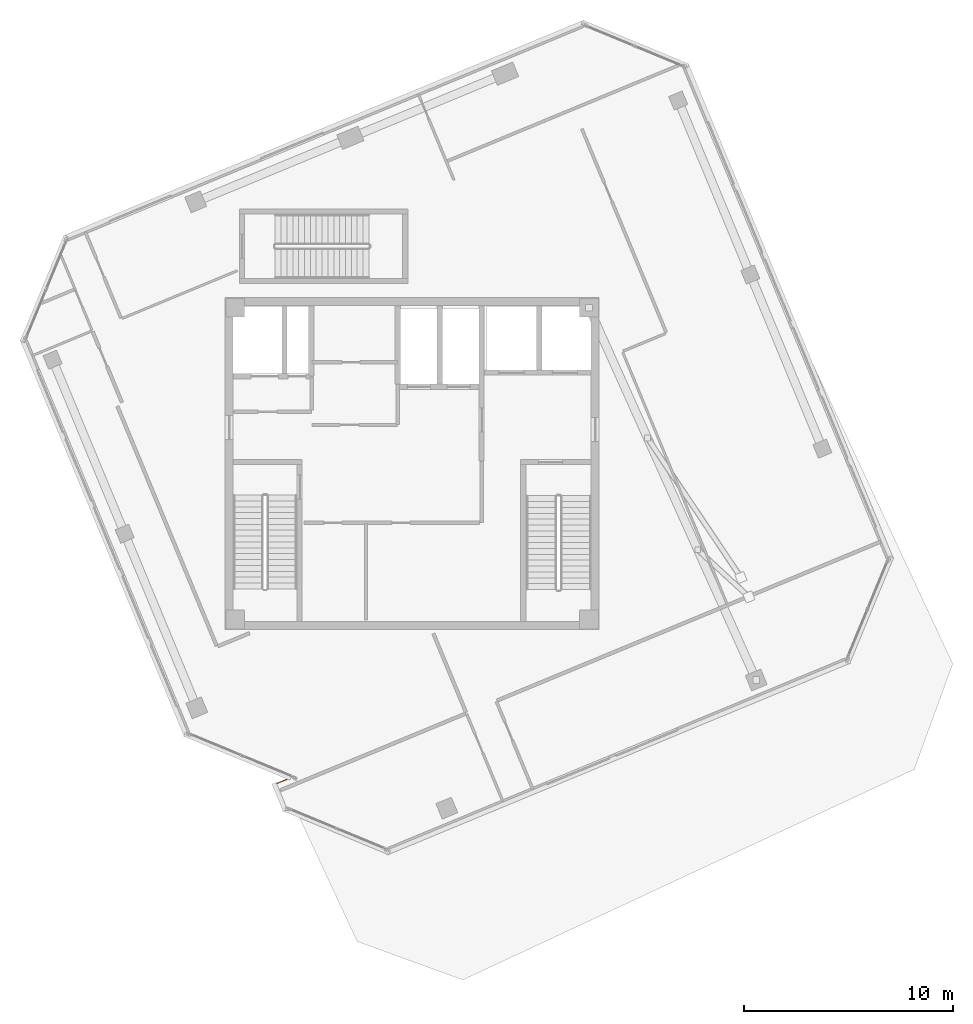
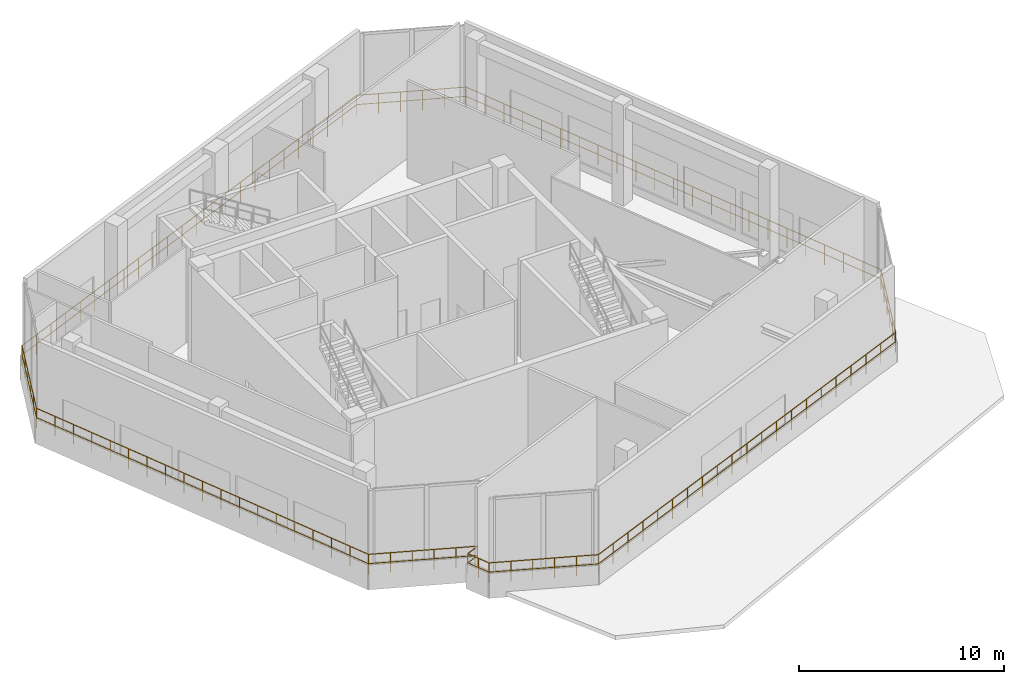
# One storey, part 14 of 16: 1 railing.
"""IFC4 building model written with IfcOpenShell, lengths in metres."""

from ifc_helpers import new_model, si_unit, direction, frame, origin, origin_2d, place, context, subcontext, project, spatial, circle, extrude, material, type_object, element, save


model = new_model("IFC4")

# Units and contexts
model_context = context("Model", 3, precision=1e-05, world=origin(), true_north=direction((0.0, 1.0)))
body_context = subcontext(model_context, "Body", "Model", "MODEL_VIEW")
ifc_project = project(units=[si_unit("LENGTHUNIT", "METRE"), si_unit("AREAUNIT", "SQUARE_METRE"), si_unit("VOLUMEUNIT", "CUBIC_METRE"), si_unit("PLANEANGLEUNIT", "RADIAN"), si_unit("MASSUNIT", "GRAM", prefix="KILO")], contexts=[model_context])

# Site, building, storey
site_placement = place(None, origin())
site = spatial("IfcSite", under=ifc_project, at=site_placement, CompositionType="ELEMENT")
building_placement = place(site_placement, origin())
building = spatial("IfcBuilding", under=site, at=building_placement, Name="Torre Montelarca", CompositionType="ELEMENT")
storey_placement = place(building_placement, frame((0.0, 0.0, 349.199951171875)))
storey = spatial("IfcBuildingStorey", under=building, at=storey_placement, Name="L79", CompositionType="ELEMENT", Elevation=349.199951171875)

# Railing
ifc_material = material(Name="Stainless steel AISI 316 and laminated glass", Category="steel")
railing_type = type_object("IfcRailingType", Name="RL-OBS-GUARD-1200", PredefinedType="BALUSTRADE", material=ifc_material)
railing_placement = place(storey_placement, frame((-0.6337890625, 37.877197265625, 0.56005859375)))
element("IfcRailing", 1, at=railing_placement, inside=storey, type_object=railing_type, Name="L79 Illuminated Damper Gallery Perimeter Guard Collar", PredefinedType="BALUSTRADE", context=body_context, shape_type="SweptSolid", body=[
    extrude(circle(Radius=0.02392578125, at=origin_2d()), frame((0.0, 0.0, 1.17578125), z_axis=(0.382674516725, -0.92388322544, 0.0), x_axis=(0.92388322544, 0.382674516725, 0.0)), (0.0, 0.0, 1.0), 20.400146484375),
    extrude(circle(Radius=0.02099609375, at=origin_2d()), frame((0.0, 0.0, 0.6240234375), z_axis=(0.382674516725, -0.92388322544, 0.0), x_axis=(0.92388322544, 0.382674516725, 0.0)), (0.0, 0.0, 1.0), 20.400146484375),
    extrude(circle(Radius=0.02392578125, at=origin_2d()), frame((7.806640625, -18.847412109375, 1.17578125), z_axis=(0.923886712275, -0.382666098421, 0.0), x_axis=(0.382666098421, 0.923886712275, 0.0)), (0.0, 0.0, 1.0), 5.373779296875),
    extrude(circle(Radius=0.02099609375, at=origin_2d()), frame((7.806640625, -18.847412109375, 0.6240234375), z_axis=(0.923886712275, -0.382666098421, 0.0), x_axis=(0.382666098421, 0.923886712275, 0.0)), (0.0, 0.0, 1.0), 5.373779296875),
    extrude(circle(Radius=0.02392578125, at=origin_2d()), frame((12.771484375, -20.90380859375, 1.17578125), z_axis=(-0.923860588688, -0.382729163599, 0.0), x_axis=(0.382729163599, -0.923860588688, 0.0)), (0.0, 0.0, 1.0), 0.7998046875),
    extrude(circle(Radius=0.02099609375, at=origin_2d()), frame((12.771484375, -20.90380859375, 0.6240234375), z_axis=(-0.923860588688, -0.382729163599, 0.0), x_axis=(0.382729163599, -0.923860588688, 0.0)), (0.0, 0.0, 1.0), 0.7998046875),
    extrude(circle(Radius=0.02392578125, at=origin_2d()), frame((12.032470703125, -21.2099609375, 1.17578125), z_axis=(0.382760937611, -0.923847424979, 0.0), x_axis=(0.923847424979, 0.382760937611, 0.0)), (0.0, 0.0, 1.0), 1.2998046875),
    extrude(circle(Radius=0.02099609375, at=origin_2d()), frame((12.032470703125, -21.2099609375, 0.6240234375), z_axis=(0.382760937611, -0.923847424979, 0.0), x_axis=(0.923847424979, 0.382760937611, 0.0)), (0.0, 0.0, 1.0), 1.2998046875),
    extrude(circle(Radius=0.02392578125, at=origin_2d()), frame((12.530029296875, -22.410888671875, 1.17578125), z_axis=(0.923870650027, -0.382704875876, 0.0), x_axis=(0.382704875876, 0.923870650027, 0.0)), (0.0, 0.0, 1.0), 5.3740234375),
    extrude(circle(Radius=0.02099609375, at=origin_2d()), frame((12.530029296875, -22.410888671875, 0.6240234375), z_axis=(0.923870650027, -0.382704875876, 0.0), x_axis=(0.382704875876, 0.923870650027, 0.0)), (0.0, 0.0, 1.0), 5.3740234375),
    extrude(circle(Radius=0.02392578125, at=origin_2d()), frame((17.494873046875, -24.467529296875, 1.17578125), z_axis=(0.923878554305, 0.382685793956, 0.0), x_axis=(-0.382685793956, 0.923878554305, 0.0)), (0.0, 0.0, 1.0), 23.800048828125),
    extrude(circle(Radius=0.02099609375, at=origin_2d()), frame((17.494873046875, -24.467529296875, 0.6240234375), z_axis=(0.923878554305, 0.382685793956, 0.0), x_axis=(-0.382685793956, 0.923878554305, 0.0)), (0.0, 0.0, 1.0), 23.800048828125),
    extrude(circle(Radius=0.02392578125, at=origin_2d()), frame((39.483154296875, -15.359619140625, 1.17578125), z_axis=(0.382704875876, 0.923870650027, 0.0), x_axis=(-0.923870650027, 0.382704875876, 0.0)), (0.0, 0.0, 1.0), 5.3740234375),
    extrude(circle(Radius=0.02099609375, at=origin_2d()), frame((39.483154296875, -15.359619140625, 0.6240234375), z_axis=(0.382704875876, 0.923870650027, 0.0), x_axis=(-0.923870650027, 0.382704875876, 0.0)), (0.0, 0.0, 1.0), 5.3740234375),
    extrude(circle(Radius=0.02392578125, at=origin_2d()), frame((41.539794921875, -10.394775390625, 1.17578125), z_axis=(-0.382685227406, 0.923878788979, 0.0), x_axis=(-0.923878788979, -0.382685227406, 0.0)), (0.0, 0.0, 1.0), 25.500244140625),
    extrude(circle(Radius=0.02099609375, at=origin_2d()), frame((41.539794921875, -10.394775390625, 0.6240234375), z_axis=(-0.382685227406, 0.923878788979, 0.0), x_axis=(-0.923878788979, -0.382685227406, 0.0)), (0.0, 0.0, 1.0), 25.500244140625),
    extrude(circle(Radius=0.02392578125, at=origin_2d()), frame((31.78125, 13.164306640625, 1.17578125), z_axis=(-0.923886712275, 0.382666098421, 0.0), x_axis=(-0.382666098421, -0.923886712275, 0.0)), (0.0, 0.0, 1.0), 5.373779296875),
    extrude(circle(Radius=0.02099609375, at=origin_2d()), frame((31.78125, 13.164306640625, 0.6240234375), z_axis=(-0.923886712275, 0.382666098421, 0.0), x_axis=(-0.382666098421, -0.923886712275, 0.0)), (0.0, 0.0, 1.0), 5.373779296875),
    extrude(circle(Radius=0.02392578125, at=origin_2d()), frame((26.81640625, 15.220703125, 1.17578125), z_axis=(-0.923880488611, -0.382681124127, 0.0), x_axis=(0.382681124127, -0.923880488611, 0.0)), (0.0, 0.0, 1.0), 26.800048828125),
    extrude(circle(Radius=0.02099609375, at=origin_2d()), frame((26.81640625, 15.220703125, 0.6240234375), z_axis=(-0.923880488611, -0.382681124127, 0.0), x_axis=(0.382681124127, -0.923880488611, 0.0)), (0.0, 0.0, 1.0), 26.800048828125),
    extrude(circle(Radius=0.02392578125, at=origin_2d()), frame((2.056396484375, 4.96484375, 1.17578125), z_axis=(-0.382666098421, -0.923886712275, 0.0), x_axis=(0.923886712275, -0.382666098421, 0.0)), (0.0, 0.0, 1.0), 5.373779296875),
    extrude(circle(Radius=0.02099609375, at=origin_2d()), frame((2.056396484375, 4.96484375, 0.6240234375), z_axis=(-0.382666098421, -0.923886712275, 0.0), x_axis=(0.923886712275, -0.382666098421, 0.0)), (0.0, 0.0, 1.0), 5.373779296875),
    extrude(circle(Radius=0.02099609375, at=origin_2d()), origin(), (0.0, 0.0, 1.0), 1.15185546875),
    extrude(circle(Radius=0.02099609375, at=origin_2d()), frame((0.43359375, -1.047119140625, 0.0)), (0.0, 0.0, 1.0), 1.15185546875),
    extrude(circle(Radius=0.02099609375, at=origin_2d()), frame((0.867431640625, -2.09423828125, 0.0)), (0.0, 0.0, 1.0), 1.15185546875),
    extrude(circle(Radius=0.02099609375, at=origin_2d()), frame((1.301025390625, -3.14111328125, 0.0)), (0.0, 0.0, 1.0), 1.15185546875),
    extrude(circle(Radius=0.02099609375, at=origin_2d()), frame((1.73486328125, -4.188232421875, 0.0)), (0.0, 0.0, 1.0), 1.15185546875),
    extrude(circle(Radius=0.02099609375, at=origin_2d()), frame((2.16845703125, -5.2353515625, 0.0)), (0.0, 0.0, 1.0), 1.15185546875),
    extrude(circle(Radius=0.02099609375, at=origin_2d()), frame((2.602294921875, -6.282470703125, 0.0)), (0.0, 0.0, 1.0), 1.15185546875),
    extrude(circle(Radius=0.02099609375, at=origin_2d()), frame((3.035888671875, -7.32958984375, 0.0)), (0.0, 0.0, 1.0), 1.15185546875),
    extrude(circle(Radius=0.02099609375, at=origin_2d()), frame((3.4697265625, -8.376708984375, 0.0)), (0.0, 0.0, 1.0), 1.15185546875),
    extrude(circle(Radius=0.02099609375, at=origin_2d()), frame((3.9033203125, -9.423828125, 0.0)), (0.0, 0.0, 1.0), 1.15185546875),
    extrude(circle(Radius=0.02099609375, at=origin_2d()), frame((4.3369140625, -10.470703125, 0.0)), (0.0, 0.0, 1.0), 1.15185546875),
    extrude(circle(Radius=0.02099609375, at=origin_2d()), frame((4.770751953125, -11.517822265625, 0.0)), (0.0, 0.0, 1.0), 1.15185546875),
    extrude(circle(Radius=0.02099609375, at=origin_2d()), frame((5.204345703125, -12.56494140625, 0.0)), (0.0, 0.0, 1.0), 1.15185546875),
    extrude(circle(Radius=0.02099609375, at=origin_2d()), frame((5.63818359375, -13.612060546875, 0.0)), (0.0, 0.0, 1.0), 1.15185546875),
    extrude(circle(Radius=0.02099609375, at=origin_2d()), frame((6.07177734375, -14.6591796875, 0.0)), (0.0, 0.0, 1.0), 1.15185546875),
    extrude(circle(Radius=0.02099609375, at=origin_2d()), frame((6.505615234375, -15.7060546875, 0.0)), (0.0, 0.0, 1.0), 1.15185546875),
    extrude(circle(Radius=0.02099609375, at=origin_2d()), frame((6.939208984375, -16.753173828125, 0.0)), (0.0, 0.0, 1.0), 1.15185546875),
    extrude(circle(Radius=0.02099609375, at=origin_2d()), frame((7.373046875, -17.80029296875, 0.0)), (0.0, 0.0, 1.0), 1.15185546875),
    extrude(circle(Radius=0.02099609375, at=origin_2d()), frame((7.806640625, -18.847412109375, 0.0)), (0.0, 0.0, 1.0), 1.15185546875),
    extrude(circle(Radius=0.02099609375, at=origin_2d()), frame((8.799560546875, -19.2587890625, 0.0)), (0.0, 0.0, 1.0), 1.15185546875),
    extrude(circle(Radius=0.02099609375, at=origin_2d()), frame((9.79248046875, -19.669921875, 0.0)), (0.0, 0.0, 1.0), 1.15185546875),
    extrude(circle(Radius=0.02099609375, at=origin_2d()), frame((10.78564453125, -20.081298828125, 0.0)), (0.0, 0.0, 1.0), 1.15185546875),
    extrude(circle(Radius=0.02099609375, at=origin_2d()), frame((11.778564453125, -20.492431640625, 0.0)), (0.0, 0.0, 1.0), 1.15185546875),
    extrude(circle(Radius=0.02099609375, at=origin_2d()), frame((12.771484375, -20.90380859375, 0.0)), (0.0, 0.0, 1.0), 1.15185546875),
    extrude(circle(Radius=0.02099609375, at=origin_2d()), frame((12.032470703125, -21.2099609375, 0.0)), (0.0, 0.0, 1.0), 1.15185546875),
    extrude(circle(Radius=0.02099609375, at=origin_2d()), frame((12.28125, -21.810546875, 0.0)), (0.0, 0.0, 1.0), 1.15185546875),
    extrude(circle(Radius=0.02099609375, at=origin_2d()), frame((12.530029296875, -22.410888671875, 0.0)), (0.0, 0.0, 1.0), 1.15185546875),
    extrude(circle(Radius=0.02099609375, at=origin_2d()), frame((13.52294921875, -22.822265625, 0.0)), (0.0, 0.0, 1.0), 1.15185546875),
    extrude(circle(Radius=0.02099609375, at=origin_2d()), frame((14.515869140625, -23.233642578125, 0.0)), (0.0, 0.0, 1.0), 1.15185546875),
    extrude(circle(Radius=0.02099609375, at=origin_2d()), frame((15.509033203125, -23.644775390625, 0.0)), (0.0, 0.0, 1.0), 1.15185546875),
    extrude(circle(Radius=0.02099609375, at=origin_2d()), frame((16.501953125, -24.05615234375, 0.0)), (0.0, 0.0, 1.0), 1.15185546875),
    extrude(circle(Radius=0.02099609375, at=origin_2d()), frame((17.494873046875, -24.467529296875, 0.0)), (0.0, 0.0, 1.0), 1.15185546875),
    extrude(circle(Radius=0.02099609375, at=origin_2d()), frame((18.59423828125, -24.01220703125, 0.0)), (0.0, 0.0, 1.0), 1.15185546875),
    extrude(circle(Radius=0.02099609375, at=origin_2d()), frame((19.693603515625, -23.556640625, 0.0)), (0.0, 0.0, 1.0), 1.15185546875),
    extrude(circle(Radius=0.02099609375, at=origin_2d()), frame((20.793212890625, -23.101318359375, 0.0)), (0.0, 0.0, 1.0), 1.15185546875),
    extrude(circle(Radius=0.02099609375, at=origin_2d()), frame((21.892578125, -22.64599609375, 0.0)), (0.0, 0.0, 1.0), 1.15185546875),
    extrude(circle(Radius=0.02099609375, at=origin_2d()), frame((22.991943359375, -22.1904296875, 0.0)), (0.0, 0.0, 1.0), 1.15185546875),
    extrude(circle(Radius=0.02099609375, at=origin_2d()), frame((24.09130859375, -21.735107421875, 0.0)), (0.0, 0.0, 1.0), 1.15185546875),
    extrude(circle(Radius=0.02099609375, at=origin_2d()), frame((25.190673828125, -21.27978515625, 0.0)), (0.0, 0.0, 1.0), 1.15185546875),
    extrude(circle(Radius=0.02099609375, at=origin_2d()), frame((26.290283203125, -20.824462890625, 0.0)), (0.0, 0.0, 1.0), 1.15185546875),
    extrude(circle(Radius=0.02099609375, at=origin_2d()), frame((27.3896484375, -20.368896484375, 0.0)), (0.0, 0.0, 1.0), 1.15185546875),
    extrude(circle(Radius=0.02099609375, at=origin_2d()), frame((28.489013671875, -19.91357421875, 0.0)), (0.0, 0.0, 1.0), 1.15185546875),
    extrude(circle(Radius=0.02099609375, at=origin_2d()), frame((29.58837890625, -19.458251953125, 0.0)), (0.0, 0.0, 1.0), 1.15185546875),
    extrude(circle(Radius=0.02099609375, at=origin_2d()), frame((30.687744140625, -19.002685546875, 0.0)), (0.0, 0.0, 1.0), 1.15185546875),
    extrude(circle(Radius=0.02099609375, at=origin_2d()), frame((31.787353515625, -18.54736328125, 0.0)), (0.0, 0.0, 1.0), 1.15185546875),
    extrude(circle(Radius=0.02099609375, at=origin_2d()), frame((32.88671875, -18.092041015625, 0.0)), (0.0, 0.0, 1.0), 1.15185546875),
    extrude(circle(Radius=0.02099609375, at=origin_2d()), frame((33.986083984375, -17.63671875, 0.0)), (0.0, 0.0, 1.0), 1.15185546875),
    extrude(circle(Radius=0.02099609375, at=origin_2d()), frame((35.08544921875, -17.18115234375, 0.0)), (0.0, 0.0, 1.0), 1.15185546875),
    extrude(circle(Radius=0.02099609375, at=origin_2d()), frame((36.184814453125, -16.725830078125, 0.0)), (0.0, 0.0, 1.0), 1.15185546875),
    extrude(circle(Radius=0.02099609375, at=origin_2d()), frame((37.284423828125, -16.2705078125, 0.0)), (0.0, 0.0, 1.0), 1.15185546875),
    extrude(circle(Radius=0.02099609375, at=origin_2d()), frame((38.3837890625, -15.81494140625, 0.0)), (0.0, 0.0, 1.0), 1.15185546875),
    extrude(circle(Radius=0.02099609375, at=origin_2d()), frame((39.483154296875, -15.359619140625, 0.0)), (0.0, 0.0, 1.0), 1.15185546875),
    extrude(circle(Radius=0.02099609375, at=origin_2d()), frame((39.89453125, -14.36669921875, 0.0)), (0.0, 0.0, 1.0), 1.15185546875),
    extrude(circle(Radius=0.02099609375, at=origin_2d()), frame((40.305908203125, -13.373779296875, 0.0)), (0.0, 0.0, 1.0), 1.15185546875),
    extrude(circle(Radius=0.02099609375, at=origin_2d()), frame((40.717041015625, -12.380615234375, 0.0)), (0.0, 0.0, 1.0), 1.15185546875),
    extrude(circle(Radius=0.02099609375, at=origin_2d()), frame((41.12841796875, -11.3876953125, 0.0)), (0.0, 0.0, 1.0), 1.15185546875),
    extrude(circle(Radius=0.02099609375, at=origin_2d()), frame((41.539794921875, -10.394775390625, 0.0)), (0.0, 0.0, 1.0), 1.15185546875),
    extrude(circle(Radius=0.02099609375, at=origin_2d()), frame((41.09619140625, -9.323974609375, 0.0)), (0.0, 0.0, 1.0), 1.15185546875),
    extrude(circle(Radius=0.02099609375, at=origin_2d()), frame((40.652587890625, -8.2529296875, 0.0)), (0.0, 0.0, 1.0), 1.15185546875),
    extrude(circle(Radius=0.02099609375, at=origin_2d()), frame((40.208984375, -7.18212890625, 0.0)), (0.0, 0.0, 1.0), 1.15185546875),
    extrude(circle(Radius=0.02099609375, at=origin_2d()), frame((39.765625, -6.111328125, 0.0)), (0.0, 0.0, 1.0), 1.15185546875),
    extrude(circle(Radius=0.02099609375, at=origin_2d()), frame((39.322021484375, -5.04052734375, 0.0)), (0.0, 0.0, 1.0), 1.15185546875),
    extrude(circle(Radius=0.02099609375, at=origin_2d()), frame((38.87841796875, -3.969482421875, 0.0)), (0.0, 0.0, 1.0), 1.15185546875),
    extrude(circle(Radius=0.02099609375, at=origin_2d()), frame((38.434814453125, -2.898681640625, 0.0)), (0.0, 0.0, 1.0), 1.15185546875),
    extrude(circle(Radius=0.02099609375, at=origin_2d()), frame((37.9912109375, -1.827880859375, 0.0)), (0.0, 0.0, 1.0), 1.15185546875),
    extrude(circle(Radius=0.02099609375, at=origin_2d()), frame((37.547607421875, -0.757080078125, 0.0)), (0.0, 0.0, 1.0), 1.15185546875),
    extrude(circle(Radius=0.02099609375, at=origin_2d()), frame((37.10400390625, 0.31396484375, 0.0)), (0.0, 0.0, 1.0), 1.15185546875),
    extrude(circle(Radius=0.02099609375, at=origin_2d()), frame((36.66064453125, 1.384765625, 0.0)), (0.0, 0.0, 1.0), 1.15185546875),
    extrude(circle(Radius=0.02099609375, at=origin_2d()), frame((36.217041015625, 2.45556640625, 0.0)), (0.0, 0.0, 1.0), 1.15185546875),
    extrude(circle(Radius=0.02099609375, at=origin_2d()), frame((35.7734375, 3.526611328125, 0.0)), (0.0, 0.0, 1.0), 1.15185546875),
    extrude(circle(Radius=0.02099609375, at=origin_2d()), frame((35.329833984375, 4.597412109375, 0.0)), (0.0, 0.0, 1.0), 1.15185546875),
    extrude(circle(Radius=0.02099609375, at=origin_2d()), frame((34.88623046875, 5.668212890625, 0.0)), (0.0, 0.0, 1.0), 1.15185546875),
    extrude(circle(Radius=0.02099609375, at=origin_2d()), frame((34.442626953125, 6.739013671875, 0.0)), (0.0, 0.0, 1.0), 1.15185546875),
    extrude(circle(Radius=0.02099609375, at=origin_2d()), frame((33.9990234375, 7.81005859375, 0.0)), (0.0, 0.0, 1.0), 1.15185546875),
    extrude(circle(Radius=0.02099609375, at=origin_2d()), frame((33.555419921875, 8.880859375, 0.0)), (0.0, 0.0, 1.0), 1.15185546875),
    extrude(circle(Radius=0.02099609375, at=origin_2d()), frame((33.112060546875, 9.95166015625, 0.0)), (0.0, 0.0, 1.0), 1.15185546875),
    extrude(circle(Radius=0.02099609375, at=origin_2d()), frame((32.66845703125, 11.0224609375, 0.0)), (0.0, 0.0, 1.0), 1.15185546875),
    extrude(circle(Radius=0.02099609375, at=origin_2d()), frame((32.224853515625, 12.093505859375, 0.0)), (0.0, 0.0, 1.0), 1.15185546875),
    extrude(circle(Radius=0.02099609375, at=origin_2d()), frame((31.78125, 13.164306640625, 0.0)), (0.0, 0.0, 1.0), 1.15185546875),
    extrude(circle(Radius=0.02099609375, at=origin_2d()), frame((30.788330078125, 13.57568359375, 0.0)), (0.0, 0.0, 1.0), 1.15185546875),
    extrude(circle(Radius=0.02099609375, at=origin_2d()), frame((29.79541015625, 13.98681640625, 0.0)), (0.0, 0.0, 1.0), 1.15185546875),
    extrude(circle(Radius=0.02099609375, at=origin_2d()), frame((28.80224609375, 14.398193359375, 0.0)), (0.0, 0.0, 1.0), 1.15185546875),
    extrude(circle(Radius=0.02099609375, at=origin_2d()), frame((27.809326171875, 14.809326171875, 0.0)), (0.0, 0.0, 1.0), 1.15185546875),
    extrude(circle(Radius=0.02099609375, at=origin_2d()), frame((26.81640625, 15.220703125, 0.0)), (0.0, 0.0, 1.0), 1.15185546875),
    extrude(circle(Radius=0.02099609375, at=origin_2d()), frame((25.739990234375, 14.77490234375, 0.0)), (0.0, 0.0, 1.0), 1.15185546875),
    extrude(circle(Radius=0.02099609375, at=origin_2d()), frame((24.663330078125, 14.328857421875, 0.0)), (0.0, 0.0, 1.0), 1.15185546875),
    extrude(circle(Radius=0.02099609375, at=origin_2d()), frame((23.5869140625, 13.883056640625, 0.0)), (0.0, 0.0, 1.0), 1.15185546875),
    extrude(circle(Radius=0.02099609375, at=origin_2d()), frame((22.51025390625, 13.43701171875, 0.0)), (0.0, 0.0, 1.0), 1.15185546875),
    extrude(circle(Radius=0.02099609375, at=origin_2d()), frame((21.433837890625, 12.9912109375, 0.0)), (0.0, 0.0, 1.0), 1.15185546875),
    extrude(circle(Radius=0.02099609375, at=origin_2d()), frame((20.357177734375, 12.545166015625, 0.0)), (0.0, 0.0, 1.0), 1.15185546875),
    extrude(circle(Radius=0.02099609375, at=origin_2d()), frame((19.28076171875, 12.099365234375, 0.0)), (0.0, 0.0, 1.0), 1.15185546875),
    extrude(circle(Radius=0.02099609375, at=origin_2d()), frame((18.204345703125, 11.653564453125, 0.0)), (0.0, 0.0, 1.0), 1.15185546875),
    extrude(circle(Radius=0.02099609375, at=origin_2d()), frame((17.127685546875, 11.20751953125, 0.0)), (0.0, 0.0, 1.0), 1.15185546875),
    extrude(circle(Radius=0.02099609375, at=origin_2d()), frame((16.05126953125, 10.76171875, 0.0)), (0.0, 0.0, 1.0), 1.15185546875),
    extrude(circle(Radius=0.02099609375, at=origin_2d()), frame((14.974609375, 10.315673828125, 0.0)), (0.0, 0.0, 1.0), 1.15185546875),
    extrude(circle(Radius=0.02099609375, at=origin_2d()), frame((13.898193359375, 9.869873046875, 0.0)), (0.0, 0.0, 1.0), 1.15185546875),
    extrude(circle(Radius=0.02099609375, at=origin_2d()), frame((12.821533203125, 9.423828125, 0.0)), (0.0, 0.0, 1.0), 1.15185546875),
    extrude(circle(Radius=0.02099609375, at=origin_2d()), frame((11.7451171875, 8.97802734375, 0.0)), (0.0, 0.0, 1.0), 1.15185546875),
    extrude(circle(Radius=0.02099609375, at=origin_2d()), frame((10.66845703125, 8.531982421875, 0.0)), (0.0, 0.0, 1.0), 1.15185546875),
    extrude(circle(Radius=0.02099609375, at=origin_2d()), frame((9.592041015625, 8.086181640625, 0.0)), (0.0, 0.0, 1.0), 1.15185546875),
    extrude(circle(Radius=0.02099609375, at=origin_2d()), frame((8.515625, 7.640380859375, 0.0)), (0.0, 0.0, 1.0), 1.15185546875),
    extrude(circle(Radius=0.02099609375, at=origin_2d()), frame((7.43896484375, 7.1943359375, 0.0)), (0.0, 0.0, 1.0), 1.15185546875),
    extrude(circle(Radius=0.02099609375, at=origin_2d()), frame((6.362548828125, 6.74853515625, 0.0)), (0.0, 0.0, 1.0), 1.15185546875),
    extrude(circle(Radius=0.02099609375, at=origin_2d()), frame((5.285888671875, 6.302490234375, 0.0)), (0.0, 0.0, 1.0), 1.15185546875),
    extrude(circle(Radius=0.02099609375, at=origin_2d()), frame((4.20947265625, 5.856689453125, 0.0)), (0.0, 0.0, 1.0), 1.15185546875),
    extrude(circle(Radius=0.02099609375, at=origin_2d()), frame((3.1328125, 5.41064453125, 0.0)), (0.0, 0.0, 1.0), 1.15185546875),
    extrude(circle(Radius=0.02099609375, at=origin_2d()), frame((2.056396484375, 4.96484375, 0.0)), (0.0, 0.0, 1.0), 1.15185546875),
    extrude(circle(Radius=0.02099609375, at=origin_2d()), frame((1.64501953125, 3.971923828125, 0.0)), (0.0, 0.0, 1.0), 1.15185546875),
    extrude(circle(Radius=0.02099609375, at=origin_2d()), frame((1.23388671875, 2.97900390625, 0.0)), (0.0, 0.0, 1.0), 1.15185546875),
    extrude(circle(Radius=0.02099609375, at=origin_2d()), frame((0.822509765625, 1.98583984375, 0.0)), (0.0, 0.0, 1.0), 1.15185546875),
    extrude(circle(Radius=0.02099609375, at=origin_2d()), frame((0.411376953125, 0.992919921875, 0.0)), (0.0, 0.0, 1.0), 1.15185546875),
])

save(model, "model.ifc")
